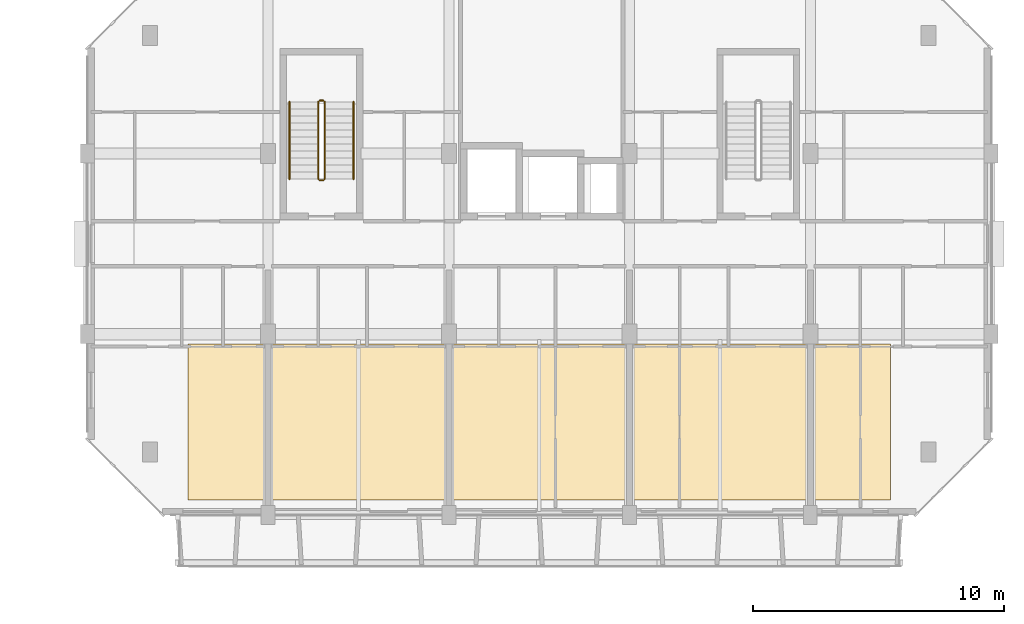
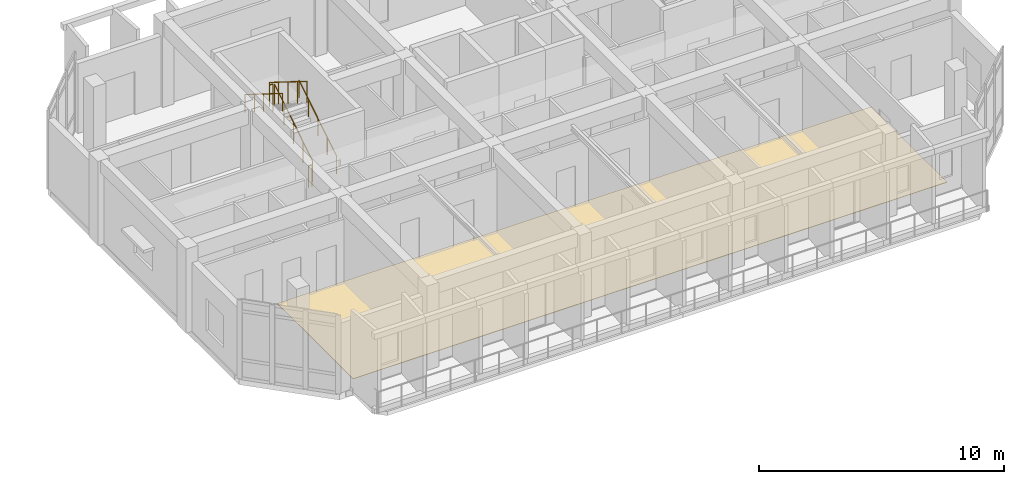
# One storey, part 79 of 85: 6 railings, 1 covering.
"""IFC4 building model written with IfcOpenShell, lengths in metres."""

import ifcopenshell
import ifcopenshell.guid

model = None  # the IFC model being written
_history = None  # IfcOwnerHistory: only IFC2X3 demands one
_inside = {}  # id of a spatial element -> (the spatial element, [elements in it])
_under = {}  # id of a project, library or spatial element -> (it, [spatial elements below it])
_declared = {}  # id of a project -> (the project, [libraries it declares])
_typed = {}  # id of a type object -> (the type object, [elements of that type])
_made_of = {}  # id of a material, layer set ... -> (it, [elements and type objects made of it])


def new_model(schema):
    """Start an empty IFC model of exactly this schema.

    Asked for "IFC4X3", IfcOpenShell would pick the latest addendum, in which some entities
    have other attributes; the version numbers below select the first issue.
    IFC2X3 requires an IfcOwnerHistory on every rooted entity: one is made here for all.
    """
    global model, _history
    if schema == "IFC4X3":
        model = ifcopenshell.file(schema_version=(4, 3, 0, 0))
    else:
        model = ifcopenshell.file(schema=schema)
    _inside.clear()
    _under.clear()
    _declared.clear()
    _typed.clear()
    _made_of.clear()
    _history = None
    if model.schema == "IFC2X3":
        org = make("IfcOrganization", Name="unknown")
        user = make(
            "IfcPersonAndOrganization",
            ThePerson=make("IfcPerson", FamilyName="unknown"),
            TheOrganization=org,
        )
        app = make(
            "IfcApplication",
            ApplicationDeveloper=org,
            Version="unknown",
            ApplicationFullName="unknown",
            ApplicationIdentifier="unknown",
        )
        _history = make(
            "IfcOwnerHistory",
            OwningUser=user,
            OwningApplication=app,
            ChangeAction="ADDED",
            CreationDate=0,
        )
    return model


def make(cls, **values):
    """One entity of the class cls with the attributes given. An attribute that is None is left unset."""
    return model.create_entity(
        cls, **{name: value for name, value in values.items() if value is not None}
    )


def rooted(cls, **values):
    """An entity with a GlobalId (a new one), such as an element, a storey or a relation."""
    return make(cls, GlobalId=ifcopenshell.guid.new(), OwnerHistory=_history, **values)


def si_unit(unit_type, name, prefix=None):
    """IfcSIUnit, for example si_unit("LENGTHUNIT", "METRE", prefix="MILLI")."""
    return make("IfcSIUnit", UnitType=unit_type, Prefix=prefix, Name=name)


def assignment(units):
    """IfcUnitAssignment: the units of a project."""
    return None if units is None else make("IfcUnitAssignment", Units=units)


def point(xyz):
    """IfcCartesianPoint."""
    return None if xyz is None else make("IfcCartesianPoint", Coordinates=xyz)


def direction(xyz):
    """IfcDirection."""
    return None if xyz is None else make("IfcDirection", DirectionRatios=xyz)


def frame(location, z_axis=None, x_axis=None):
    """IfcAxis2Placement3D, a coordinate frame: its origin and axes. An axis left out is left unset."""
    return make(
        "IfcAxis2Placement3D",
        Location=point(location),
        Axis=direction(z_axis),
        RefDirection=direction(x_axis),
    )


def frame_2d(location, x_axis=None):
    """IfcAxis2Placement2D, a coordinate frame in the plane: its origin and x axis."""
    return make(
        "IfcAxis2Placement2D", Location=point(location), RefDirection=direction(x_axis)
    )


def origin():
    """The frame at (0, 0, 0) with its axes left unset."""
    return frame((0.0, 0.0, 0.0))


def origin_2d():
    """The frame at (0, 0) in the plane with its x axis left unset."""
    return frame_2d((0.0, 0.0))


def place(relative_to, where):
    """IfcLocalPlacement: puts the frame where relative to a parent placement (None: the world)."""
    return make(
        "IfcLocalPlacement", PlacementRelTo=relative_to, RelativePlacement=where
    )


def context(
    kind, dimensions, precision=None, world=None, true_north=None, identifier=None
):
    """IfcGeometricRepresentationContext, for example the 3D "Model" context."""
    return make(
        "IfcGeometricRepresentationContext",
        ContextIdentifier=identifier,
        ContextType=kind,
        CoordinateSpaceDimension=dimensions,
        Precision=precision,
        WorldCoordinateSystem=world,
        TrueNorth=true_north,
    )


def subcontext(parent, identifier, kind, view, scale=None):
    """IfcGeometricRepresentationSubContext, for example "Body" below "Model"."""
    return make(
        "IfcGeometricRepresentationSubContext",
        ContextIdentifier=identifier,
        ContextType=kind,
        ParentContext=parent,
        TargetScale=scale,
        TargetView=view,
    )


def project(units=None, contexts=None):
    """IfcProject with its units and contexts."""
    return rooted(
        "IfcProject",
        Name="project",
        RepresentationContexts=contexts,
        UnitsInContext=assignment(units),
    )


def spatial(cls, under=None, at=None, **own):
    """A site, building, storey or space (cls), placed at a placement, below another one or the project."""
    s = rooted(cls, ObjectPlacement=at, **own)
    if under is not None:
        _under.setdefault(under.id(), (under, []))[1].append(s)
    return s


def polyline(points):
    """IfcPolyline through the points."""
    return make("IfcPolyline", Points=[point(p) for p in points])


def profile(cls, at=None, kind="AREA", **sizes):
    """A parametric profile (cls). Its sizes go by their IFC names, for example OverallWidth=200.0."""
    return make(cls, ProfileType=kind, Position=at, **sizes)


def circle(**sizes):
    """IfcCircleProfileDef."""
    return profile("IfcCircleProfileDef", **sizes)


def outline(outer, holes=None, kind="AREA"):
    """IfcArbitraryClosedProfileDef: a profile drawn as a closed curve; with holes, ...WithVoids."""
    if holes is None:
        return make("IfcArbitraryClosedProfileDef", ProfileType=kind, OuterCurve=outer)
    return make(
        "IfcArbitraryProfileDefWithVoids",
        ProfileType=kind,
        OuterCurve=outer,
        InnerCurves=holes,
    )


def extrude(swept, where, along, depth):
    """IfcExtrudedAreaSolid: the profile swept, set in the frame where, extruded along a direction by depth."""
    return make(
        "IfcExtrudedAreaSolid",
        SweptArea=swept,
        Position=where,
        ExtrudedDirection=direction(along),
        Depth=depth,
    )


def shape(context_of_items, identifier, shape_type, items):
    """IfcShapeRepresentation: the items that make up one representation, for example the "Body"."""
    return make(
        "IfcShapeRepresentation",
        ContextOfItems=context_of_items,
        RepresentationIdentifier=identifier,
        RepresentationType=shape_type,
        Items=items,
    )


def material(Name=None, Category=None):
    """IfcMaterial."""
    return make("IfcMaterial", Name=Name, Category=Category)


def layer(
    of_material, thickness, ventilated=None, Name=None, Category=None, Priority=None
):
    """IfcMaterialLayer: one layer of a wall or slab, of a material (None: an air gap)."""
    return make(
        "IfcMaterialLayer",
        Material=of_material,
        LayerThickness=thickness,
        IsVentilated=ventilated,
        Name=Name,
        Category=Category,
        Priority=Priority,
    )


def layer_set(layers, Name=None):
    """IfcMaterialLayerSet."""
    return make("IfcMaterialLayerSet", MaterialLayers=layers, LayerSetName=Name)


def made_of(thing, what):
    """Note that an element or type object is made of a material, layer set ...; save() writes the relation."""
    if what is not None:
        _made_of.setdefault(what.id(), (what, []))[1].append(thing)
    return thing


def type_object(cls, material=None, **own):
    """A type object (cls), such as IfcWallType, which elements share."""
    return made_of(rooted(cls, **own), material)


def element(
    cls,
    number,
    at=None,
    inside=None,
    cuts=None,
    type_object=None,
    material=None,
    context=None,
    identifier="Body",
    shape_type=None,
    held_by="IfcProductDefinitionShape",
    body=None,
    shapes=None,
    **own,
):
    """One element of the class cls, such as IfcWall. Its Tag is "e" and its number.

    at: its placement. inside: the storey or other place that contains it. cuts: it is an
    opening in that element (IfcRelVoidsElement). A single representation is given by context,
    identifier, shape_type and body (its items); several are given by shapes. held_by: the class
    of the entity that holds the representations. save() writes the other relations.
    """
    e = rooted(cls, Tag="e%d" % number, ObjectPlacement=at, **own)
    if body is not None:
        shapes = [shape(context, identifier, shape_type, body)]
    if shapes is not None:
        e.Representation = make(held_by, Representations=shapes)
    if inside is not None:
        _inside.setdefault(inside.id(), (inside, []))[1].append(e)
    if cuts is not None:
        rooted(
            "IfcRelVoidsElement", RelatingBuildingElement=cuts, RelatedOpeningElement=e
        )
    if type_object is not None:
        _typed.setdefault(type_object.id(), (type_object, []))[1].append(e)
    return made_of(e, material)


def aggregate(whole, parts):
    """IfcRelAggregates: a whole, such as a stair, and the parts it consists of."""
    return rooted("IfcRelAggregates", RelatingObject=whole, RelatedObjects=parts)


def save(model, path):
    """Write the relations noted so far, then the file.

    IfcRelAggregates (storeys below a building ...), IfcRelContainedInSpatialStructure (elements
    in a storey), IfcRelDefinesByType, IfcRelAssociatesMaterial and IfcRelDeclares: one each for
    every whole, place, type object, material and project.
    """
    for whole, parts in _under.values():
        aggregate(whole, parts)
    for where, things in _inside.values():
        rooted(
            "IfcRelContainedInSpatialStructure",
            RelatedElements=things,
            RelatingStructure=where,
        )
    for kind, things in _typed.values():
        rooted("IfcRelDefinesByType", RelatedObjects=things, RelatingType=kind)
    for what, things in _made_of.values():
        rooted("IfcRelAssociatesMaterial", RelatedObjects=things, RelatingMaterial=what)
    for by, libraries in _declared.values():
        rooted("IfcRelDeclares", RelatingContext=by, RelatedDefinitions=libraries)
    model.write(path)


model = new_model("IFC4")

# Units and contexts
model_context = context("Model", 3, precision=1e-05, world=origin(), true_north=direction((0.0, 1.0)))
body_context = subcontext(model_context, "Body", "Model", "MODEL_VIEW")
ifc_project = project(units=[si_unit("LENGTHUNIT", "METRE"), si_unit("AREAUNIT", "SQUARE_METRE"), si_unit("VOLUMEUNIT", "CUBIC_METRE"), si_unit("PLANEANGLEUNIT", "RADIAN"), si_unit("MASSUNIT", "GRAM", prefix="KILO")], contexts=[model_context])

# Site, building, storey
site_placement = place(None, origin())
site = spatial("IfcSite", under=ifc_project, at=site_placement, CompositionType="ELEMENT")
building_placement = place(site_placement, origin())
building = spatial("IfcBuilding", under=site, at=building_placement, Name="Ochrevale Crest", CompositionType="ELEMENT")
storey_placement = place(building_placement, frame((0.0, 0.0, 4.5)))
storey = spatial("IfcBuildingStorey", under=building, at=storey_placement, Name="L01", CompositionType="ELEMENT", Elevation=4.5)

# Covering
ifc_material_1 = material(Name="Engineered spotted-gum hardwood flooring", Category="wood")
ifc_layer = layer(ifc_material_1, 0.02001953125)
ifc_layer_set = layer_set([ifc_layer], Name="Engineered spotted-gum hardwood flooring")
covering_type = type_object("IfcCoveringType", Name="COV-FLR-TIM", PredefinedType="FLOORING", material=ifc_layer_set)
covering_placement = place(storey_placement, origin())
element("IfcCovering", 1, at=covering_placement, inside=storey, type_object=covering_type, Name="Block C L01 spotted-gum apartment flooring", PredefinedType="FLOORING", context=body_context, shape_type="SweptSolid", body=[
    extrude(outline(polyline([(133.60009765625, 15.0), (161.60009765625, 15.0), (161.60009765625, 21.199951171875), (133.60009765625, 21.199951171875), (133.60009765625, 15.0)])), origin(), (0.0, 0.0, 1.0), 0.02001953125),
])

# Railings
ifc_material_2 = material(Name="Galvanised steel", Category="steel")
railing_type_1 = type_object("IfcRailingType", Name="RL-ST-GUARD", PredefinedType="BALUSTRADE", material=ifc_material_2)
railing_1_placement = place(storey_placement, frame((139.050048828125, 27.77490234375, 0.175048828125)))
element("IfcRailing", 2, at=railing_1_placement, inside=storey, type_object=railing_type_1, Name="L01 ST-C1 stair guard 1", PredefinedType="BALUSTRADE", context=body_context, shape_type="SweptSolid", body=[
    extrude(circle(Radius=0.02392578125, at=origin_2d()), frame((0.0, 0.0, 1.076171875), z_axis=(0.0, 0.847998304005, 0.529998940003), x_axis=(-1.0, 0.0, 0.0)), (0.0, 0.0, 1.0), 3.632080078125),
    extrude(circle(Radius=0.02099609375, at=origin_2d()), origin(), (0.0, 0.0, 1.0), 1.052001953125),
    extrude(circle(Radius=0.02099609375, at=origin_2d()), frame((0.0, 0.77001953125, 0.481201171875)), (0.0, 0.0, 1.0), 1.052001953125),
    extrude(circle(Radius=0.02099609375, at=origin_2d()), frame((0.0, 1.5400390625, 0.96240234375)), (0.0, 0.0, 1.0), 1.052001953125),
    extrude(circle(Radius=0.02099609375, at=origin_2d()), frame((0.0, 2.31005859375, 1.44384765625)), (0.0, 0.0, 1.0), 1.052001953125),
    extrude(circle(Radius=0.02099609375, at=origin_2d()), frame((0.0, 3.080078125, 1.925048828125)), (0.0, 0.0, 1.0), 1.052001953125),
])
railing_2_placement = place(storey_placement, frame((139.0, 30.905029296875, 2.10009765625)))
element("IfcRailing", 3, at=railing_2_placement, inside=storey, type_object=railing_type_1, Name="L01 ST-C1 stair guard 2", PredefinedType="BALUSTRADE", context=body_context, shape_type="SweptSolid", body=[
    extrude(circle(Radius=0.02392578125, at=origin_2d()), frame((0.0, 0.0, 1.076171875), z_axis=(-1.0, 0.0, 0.0), x_axis=(0.0, -1.0, 0.0)), (0.0, 0.0, 1.0), 0.14990234375),
    extrude(circle(Radius=0.02099609375, at=origin_2d()), origin(), (0.0, 0.0, 1.0), 1.052001953125),
    extrude(circle(Radius=0.02099609375, at=origin_2d()), frame((-0.14990234375, 0.0, 0.0)), (0.0, 0.0, 1.0), 1.052001953125),
])
railing_3_placement = place(storey_placement, frame((138.800048828125, 30.85498046875, 2.27490234375)))
element("IfcRailing", 4, at=railing_3_placement, inside=storey, type_object=railing_type_1, Name="L01 ST-C1 stair guard 3", PredefinedType="BALUSTRADE", context=body_context, shape_type="SweptSolid", body=[
    extrude(circle(Radius=0.02392578125, at=origin_2d()), frame((0.0, 0.0, 1.076171875), z_axis=(0.0, -0.847998304005, 0.529998940003), x_axis=(1.0, 0.0, 0.0)), (0.0, 0.0, 1.0), 3.632080078125),
    extrude(circle(Radius=0.02099609375, at=origin_2d()), origin(), (0.0, 0.0, 1.0), 1.052001953125),
    extrude(circle(Radius=0.02099609375, at=origin_2d()), frame((0.0, -0.77001953125, 0.481201171875)), (0.0, 0.0, 1.0), 1.052001953125),
    extrude(circle(Radius=0.02099609375, at=origin_2d()), frame((0.0, -1.5400390625, 0.96240234375)), (0.0, 0.0, 1.0), 1.052001953125),
    extrude(circle(Radius=0.02099609375, at=origin_2d()), frame((0.0, -2.31005859375, 1.44384765625)), (0.0, 0.0, 1.0), 1.052001953125),
    extrude(circle(Radius=0.02099609375, at=origin_2d()), frame((0.0, -3.080078125, 1.925048828125)), (0.0, 0.0, 1.0), 1.052001953125),
])
railing_4_placement = place(storey_placement, frame((139.0, 27.72509765625, 0.0)))
element("IfcRailing", 5, at=railing_4_placement, inside=storey, type_object=railing_type_1, Name="L01 ST-C1 stair guard 4", PredefinedType="BALUSTRADE", context=body_context, shape_type="SweptSolid", body=[
    extrude(circle(Radius=0.02392578125, at=origin_2d()), frame((0.0, 0.0, 1.076171875), z_axis=(-1.0, 0.0, 0.0), x_axis=(0.0, -1.0, 0.0)), (0.0, 0.0, 1.0), 0.14990234375),
    extrude(circle(Radius=0.02099609375, at=origin_2d()), origin(), (0.0, 0.0, 1.0), 1.052001953125),
    extrude(circle(Radius=0.02099609375, at=origin_2d()), frame((-0.14990234375, 0.0, 0.0)), (0.0, 0.0, 1.0), 1.052001953125),
])
ifc_material_3 = material(Name="Stainless steel", Category="steel")
railing_type_2 = type_object("IfcRailingType", Name="RL-ST-HRAIL", PredefinedType="HANDRAIL", material=ifc_material_3)
railing_5_placement = place(storey_placement, frame((140.199951171875, 27.77490234375, 0.175048828125)))
element("IfcRailing", 6, at=railing_5_placement, inside=storey, type_object=railing_type_2, Name="L01 ST-C1 stair handrail 1", PredefinedType="HANDRAIL", context=body_context, shape_type="SweptSolid", body=[
    extrude(circle(Radius=0.02392578125, at=origin_2d()), frame((0.0, 0.0, 0.8759765625), z_axis=(0.0, 0.847998304005, 0.529998940003), x_axis=(-1.0, 0.0, 0.0)), (0.0, 0.0, 1.0), 3.632080078125),
    extrude(circle(Radius=0.02099609375, at=origin_2d()), origin(), (0.0, 0.0, 1.0), 0.851806640625),
    extrude(circle(Radius=0.02099609375, at=origin_2d()), frame((0.0, 0.77001953125, 0.481201171875)), (0.0, 0.0, 1.0), 0.851806640625),
    extrude(circle(Radius=0.02099609375, at=origin_2d()), frame((0.0, 1.5400390625, 0.96240234375)), (0.0, 0.0, 1.0), 0.851806640625),
    extrude(circle(Radius=0.02099609375, at=origin_2d()), frame((0.0, 2.31005859375, 1.44384765625)), (0.0, 0.0, 1.0), 0.851806640625),
    extrude(circle(Radius=0.02099609375, at=origin_2d()), frame((0.0, 3.080078125, 1.925048828125)), (0.0, 0.0, 1.0), 0.851806640625),
])
railing_6_placement = place(storey_placement, frame((137.64990234375, 30.85498046875, 2.27490234375)))
element("IfcRailing", 7, at=railing_6_placement, inside=storey, type_object=railing_type_2, Name="L01 ST-C1 stair handrail 2", PredefinedType="HANDRAIL", context=body_context, shape_type="SweptSolid", body=[
    extrude(circle(Radius=0.02392578125, at=origin_2d()), frame((0.0, 0.0, 0.8759765625), z_axis=(0.0, -0.847998304005, 0.529998940003), x_axis=(1.0, 0.0, 0.0)), (0.0, 0.0, 1.0), 3.632080078125),
    extrude(circle(Radius=0.02099609375, at=origin_2d()), origin(), (0.0, 0.0, 1.0), 0.851806640625),
    extrude(circle(Radius=0.02099609375, at=origin_2d()), frame((0.0, -0.77001953125, 0.481201171875)), (0.0, 0.0, 1.0), 0.851806640625),
    extrude(circle(Radius=0.02099609375, at=origin_2d()), frame((0.0, -1.5400390625, 0.96240234375)), (0.0, 0.0, 1.0), 0.851806640625),
    extrude(circle(Radius=0.02099609375, at=origin_2d()), frame((0.0, -2.31005859375, 1.44384765625)), (0.0, 0.0, 1.0), 0.851806640625),
    extrude(circle(Radius=0.02099609375, at=origin_2d()), frame((0.0, -3.080078125, 1.925048828125)), (0.0, 0.0, 1.0), 0.851806640625),
])

save(model, "model.ifc")
